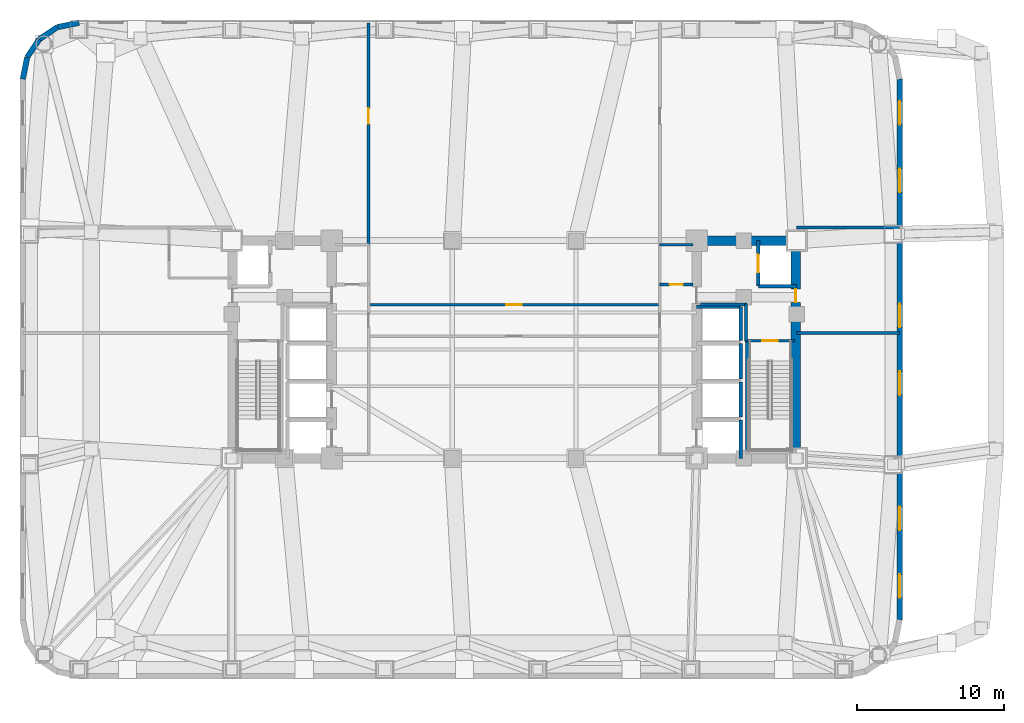
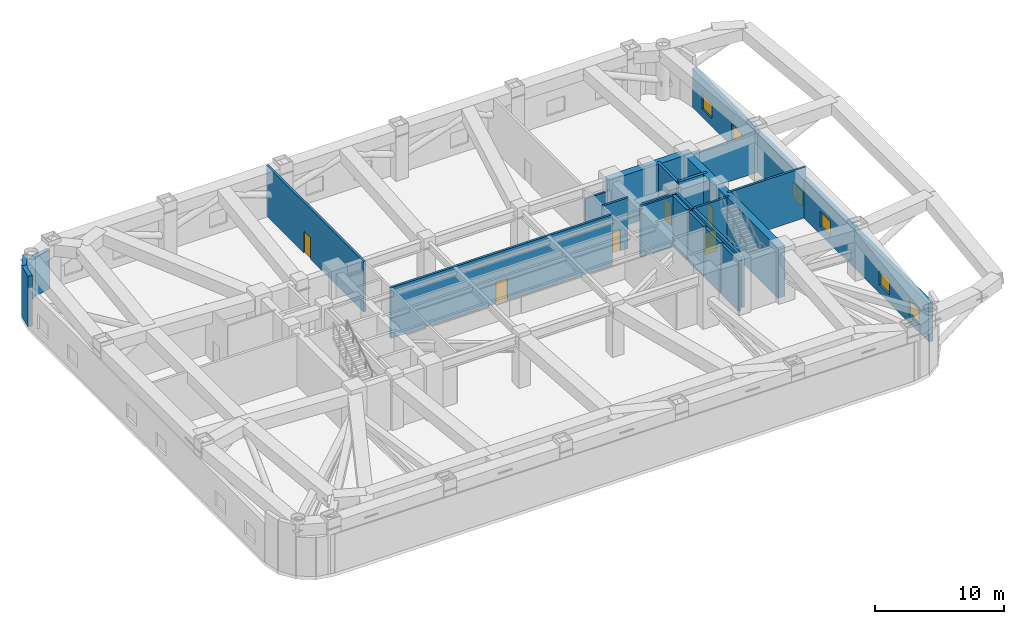
# One storey, part 6 of 9: 24 walls, 6 doors, 6 windows, 12 openings.
"""IFC4 building model written with IfcOpenShell, lengths in metres."""

from ifc_helpers import new_model, si_unit, direction, frame, frame_2d, origin, place, context, subcontext, project, spatial, rectangle, extrude, material, layer, layer_set, type_object, element, fill, save


model = new_model("IFC4")

# Units and contexts
model_context = context("Model", 3, precision=1e-05, world=origin(), true_north=direction((0.0, 1.0)))
body_context = subcontext(model_context, "Body", "Model", "MODEL_VIEW")
ifc_project = project(units=[si_unit("LENGTHUNIT", "METRE"), si_unit("AREAUNIT", "SQUARE_METRE"), si_unit("VOLUMEUNIT", "CUBIC_METRE"), si_unit("PLANEANGLEUNIT", "RADIAN"), si_unit("MASSUNIT", "GRAM", prefix="KILO")], contexts=[model_context])

# Site, building, storey
site_placement = place(None, origin())
site = spatial("IfcSite", under=ifc_project, at=site_placement, CompositionType="ELEMENT")
building_placement = place(site_placement, origin())
building = spatial("IfcBuilding", under=site, at=building_placement, Name="Voryun Gate Residences", CompositionType="ELEMENT")
storey_placement = place(building_placement, frame((0.0, 0.0, 80.60009765625)))
storey = spatial("IfcBuildingStorey", under=building, at=storey_placement, Name="L19", CompositionType="ELEMENT", Elevation=80.60009765625)

# Wall
ifc_material_1 = material(Name="Concrete C60/75", Category="concrete")
ifc_layer_1 = layer(ifc_material_1, 0.64990234375, Name="CW_CORE_650")
ifc_layer_set_1 = layer_set([ifc_layer_1], Name="Concrete C60/75")
wall_type_1 = type_object("IfcWallType", Name="CW_CORE_650", PredefinedType="SHEAR", material=ifc_layer_set_1)
wall_1_placement = place(storey_placement, frame((12.074951171875, 7.39990234375, 0.0), z_axis=(0.0, 0.0, 1.0), x_axis=(1.0, 0.0, 0.0)))
element("IfcWall", 1, at=wall_1_placement, inside=storey, type_object=wall_type_1, Name="L19 Core shear wall CW-L19-EN", PredefinedType="SHEAR", context=body_context, shape_type="SweptSolid", body=[
    extrude(rectangle(XDim=7.449951171875, YDim=0.64990234375, at=frame_2d((3.72509765625, 0.0))), origin(), (0.0, 0.0, 1.0), 4.7998046875),
])

# Wall, opening, door
wall_2_placement = place(storey_placement, frame((19.14501953125, -7.39990234375, 0.0), z_axis=(0.0, 0.0, 1.0), x_axis=(0.0, 1.0, 0.0)))
wall_2 = element("IfcWall", 2, at=wall_2_placement, inside=storey, type_object=wall_type_1, Name="L19 Core shear wall CW-L19-EE", PredefinedType="SHEAR", context=body_context, shape_type="SweptSolid", body=[
    extrude(rectangle(XDim=14.7998046875, YDim=0.64990234375, at=frame_2d((7.39990234375, 0.0))), origin(), (0.0, 0.0, 1.0), 4.7998046875),
])
opening_1_placement = place(wall_2_placement, frame((10.60009765625, 0.0, 0.0)))
opening_1 = element("IfcOpeningElement", 3, at=opening_1_placement, cuts=wall_2, Name="Opening D-FD60-4", PredefinedType="OPENING", context=body_context, shape_type="SweptSolid", body=[
    extrude(rectangle(XDim=0.89990234375, YDim=2.050048828125, at=frame_2d((0.449951171875, 1.02490234375))), frame((0.0, 0.3349609375, 0.0), z_axis=(0.0, -1.0, 0.0), x_axis=(1.0, 0.0, 0.0)), (0.0, 0.0, 1.0), 0.669921875),
])
ifc_material_2 = material(Name="Painted steel fire door", Category="steel")
door_type_1 = type_object("IfcDoorType", Name="DR_FD60_RISER_900", OperationType="NOTDEFINED", PredefinedType="DOOR", material=ifc_material_2)
door_1_placement = place(opening_1_placement, origin())
door_1 = element("IfcDoor", 4, at=door_1_placement, inside=storey, type_object=door_type_1, Name="Door DR-L19-STREF-E", OperationType="SINGLE_SWING_LEFT", OverallHeight=2.050048828125, OverallWidth=0.89990234375, PredefinedType="DOOR", context=body_context, shape_type="SweptSolid", body=[
    extrude(rectangle(XDim=0.89990234375, YDim=2.050048828125, at=frame_2d((0.449951171875, 1.02490234375))), frame((0.0, 0.02490234375, 0.0), z_axis=(0.0, -1.0, 0.0), x_axis=(1.0, 0.0, 0.0)), (0.0, 0.0, 1.0), 0.050048828125),
])
fill(opening_1, door_1)

ifc_material_3 = material(Name="Gypsum acoustic fireboard")
ifc_layer_2 = layer(ifc_material_3, 0.179931640625, Name="W_CORR_RATED_180")
ifc_layer_set_2 = layer_set([ifc_layer_2], Name="Gypsum acoustic fireboard")
wall_type_2 = type_object("IfcWallType", Name="W_CORR_RATED_180", PredefinedType="PARTITIONING", material=ifc_layer_set_2)
wall_3_placement = place(storey_placement, frame((15.699951171875, 0.60009765625, 0.0), z_axis=(0.0, 0.0, 1.0), x_axis=(1.0, 0.0, 0.0)))
wall_3 = element("IfcWall", 5, at=wall_3_placement, inside=storey, type_object=wall_type_2, Name="Partition wall WP-L19-STV-E", PredefinedType="PARTITIONING", context=body_context, shape_type="SweptSolid", body=[
    extrude(rectangle(XDim=3.360107421875, YDim=0.179931640625, at=frame_2d((1.68017578125, 0.0))), origin(), (0.0, 0.0, 1.0), 4.7998046875),
])
opening_2_placement = place(wall_3_placement, frame((1.155029296875, 0.0, 0.0)))
opening_2 = element("IfcOpeningElement", 6, at=opening_2_placement, cuts=wall_3, Name="Opening D-FD60-1", PredefinedType="OPENING", context=body_context, shape_type="SweptSolid", body=[
    extrude(rectangle(XDim=1.050048828125, YDim=2.050048828125, at=frame_2d((0.52490234375, 1.02490234375))), frame((0.0, 0.099853515625, 0.0), z_axis=(0.0, -1.0, 0.0), x_axis=(1.0, 0.0, 0.0)), (0.0, 0.0, 1.0), 0.199951171875),
])
ifc_material_4 = material(Name="Painted steel fire door", Category="steel")
door_type_2 = type_object("IfcDoorType", Name="DR_FD60_STAIR_1050", OperationType="NOTDEFINED", PredefinedType="DOOR", material=ifc_material_4)
door_2_placement = place(opening_2_placement, origin())
door_2 = element("IfcDoor", 7, at=door_2_placement, inside=storey, type_object=door_type_2, Name="Door DR-L19-ST-E", OperationType="SINGLE_SWING_RIGHT", OverallHeight=2.050048828125, OverallWidth=1.050048828125, PredefinedType="DOOR", context=body_context, shape_type="SweptSolid", body=[
    extrude(rectangle(XDim=1.050048828125, YDim=2.050048828125, at=frame_2d((0.52490234375, 1.02490234375))), frame((0.0, 0.02490234375, 0.0), z_axis=(0.0, -1.0, 0.0), x_axis=(1.0, 0.0, 0.0)), (0.0, 0.0, 1.0), 0.050048828125),
])
fill(opening_2, door_2)

# Walls
wall_4_placement = place(storey_placement, frame((9.8798828125, 7.1201171875, 0.0), z_axis=(0.0, 0.0, 1.0), x_axis=(1.0, 0.0, 0.0)))
element("IfcWall", 8, at=wall_4_placement, inside=storey, type_object=wall_type_2, Name="Partition wall WP-L19-PLBN-E", PredefinedType="PARTITIONING", context=body_context, shape_type="SweptSolid", body=[
    extrude(rectangle(XDim=2.27001953125, YDim=0.179931640625, at=frame_2d((1.135009765625, 0.0))), origin(), (0.0, 0.0, 1.0), 3.83984375),
])
ifc_material_5 = material(Name="Granite masonry", Category="masonry")
ifc_layer_3 = layer(ifc_material_5, 0.3798828125, Name="W_EXT_GRANITE_380")
ifc_layer_set_3 = layer_set([ifc_layer_3], Name="Granite masonry")
wall_type_3 = type_object("IfcWallType", Name="W_EXT_GRANITE_380", PredefinedType="ELEMENTEDWALL", material=ifc_layer_set_3)
wall_5_placement = place(storey_placement, frame((-33.409912109375, 18.38134765625, 0.0), z_axis=(0.0, 0.0, 1.0), x_axis=(0.195086038585, 0.980786132421, 0.0)))
element("IfcWall", 9, at=wall_5_placement, inside=storey, type_object=wall_type_3, Name="Exterior wall WEXT-L19-07", PredefinedType="ELEMENTEDWALL", context=body_context, shape_type="SweptSolid", body=[
    extrude(rectangle(XDim=1.504150390625, YDim=0.3798828125, at=frame_2d((0.751953125, 0.0))), origin(), (0.0, 0.0, 1.0), 4.7998046875),
])
wall_6_placement = place(storey_placement, frame((-33.116455078125, 19.856689453125, 0.0), z_axis=(0.0, 0.0, 1.0), x_axis=(0.555572577804, 0.831468045563, 0.0)))
element("IfcWall", 10, at=wall_6_placement, inside=storey, type_object=wall_type_3, Name="Exterior wall WEXT-L19-08", PredefinedType="ELEMENTEDWALL", context=body_context, shape_type="SweptSolid", body=[
    extrude(rectangle(XDim=1.48486328125, YDim=0.3798828125, at=frame_2d((0.742431640625, 0.0))), origin(), (0.0, 0.0, 1.0), 4.7998046875),
])
wall_7_placement = place(storey_placement, frame((-32.29150390625, 21.09130859375, 0.0), z_axis=(0.0, 0.0, 1.0), x_axis=(0.831442848281, 0.555610286119, 0.0)))
element("IfcWall", 11, at=wall_7_placement, inside=storey, type_object=wall_type_3, Name="Exterior wall WEXT-L19-09", PredefinedType="ELEMENTEDWALL", context=body_context, shape_type="SweptSolid", body=[
    extrude(rectangle(XDim=1.485107421875, YDim=0.3798828125, at=frame_2d((0.74267578125, 0.0))), origin(), (0.0, 0.0, 1.0), 3.68994140625),
])
wall_8_placement = place(storey_placement, frame((-31.056640625, 21.91650390625, 0.0), z_axis=(0.0, 0.0, 1.0), x_axis=(0.980786132421, 0.195086038585, 0.0)))
element("IfcWall", 12, at=wall_8_placement, inside=storey, type_object=wall_type_3, Name="Exterior wall WEXT-L19-10", PredefinedType="ELEMENTEDWALL", context=body_context, shape_type="SweptSolid", body=[
    extrude(rectangle(XDim=1.504150390625, YDim=0.3798828125, at=frame_2d((0.751953125, 0.0))), origin(), (0.0, 0.0, 1.0), 3.68994140625),
])

# Wall, openings, windows
wall_9_placement = place(storey_placement, frame((26.2099609375, 18.38134765625, 0.0), z_axis=(0.0, 0.0, 1.0), x_axis=(0.0, -1.0, 0.0)))
wall_9 = element("IfcWall", 13, at=wall_9_placement, inside=storey, type_object=wall_type_3, Name="Exterior wall WEXT-L19-16", PredefinedType="ELEMENTEDWALL", context=body_context, shape_type="SweptSolid", body=[
    extrude(rectangle(XDim=36.7626953125, YDim=0.3798828125, at=frame_2d((18.38134765625, 0.0))), origin(), (0.0, 0.0, 1.0), 3.68994140625),
])
opening_3_placement = place(wall_9_placement, frame((1.497802734375, 0.0, 0.75)))
opening_3 = element("IfcOpeningElement", 14, at=opening_3_placement, cuts=wall_9, Name="Opening WN8", PredefinedType="OPENING", context=body_context, shape_type="SweptSolid", body=[
    extrude(rectangle(XDim=1.60009765625, YDim=1.39990234375, at=frame_2d((0.800048828125, 0.699951171875))), frame((0.0, 0.199951171875, 0.0), z_axis=(0.0, -1.0, 0.0), x_axis=(1.0, 0.0, 0.0)), (0.0, 0.0, 1.0), 0.39990234375),
])
opening_4_placement = place(wall_9_placement, frame((6.093017578125, 0.0, 0.75)))
opening_4 = element("IfcOpeningElement", 15, at=opening_4_placement, cuts=wall_9, Name="Opening WN8", PredefinedType="OPENING", context=body_context, shape_type="SweptSolid", body=[
    extrude(rectangle(XDim=1.60009765625, YDim=1.39990234375, at=frame_2d((0.800048828125, 0.699951171875))), frame((0.0, 0.199951171875, 0.0), z_axis=(0.0, -1.0, 0.0), x_axis=(1.0, 0.0, 0.0)), (0.0, 0.0, 1.0), 0.39990234375),
])
opening_5_placement = place(wall_9_placement, frame((15.28369140625, 0.0, 0.75)))
opening_5 = element("IfcOpeningElement", 16, at=opening_5_placement, cuts=wall_9, Name="Opening WN8", PredefinedType="OPENING", context=body_context, shape_type="SweptSolid", body=[
    extrude(rectangle(XDim=1.60009765625, YDim=1.39990234375, at=frame_2d((0.800048828125, 0.699951171875))), frame((0.0, 0.199951171875, 0.0), z_axis=(0.0, -1.0, 0.0), x_axis=(1.0, 0.0, 0.0)), (0.0, 0.0, 1.0), 0.39990234375),
])
opening_6_placement = place(wall_9_placement, frame((19.87890625, 0.0, 0.75)))
opening_6 = element("IfcOpeningElement", 17, at=opening_6_placement, cuts=wall_9, Name="Opening WN8", PredefinedType="OPENING", context=body_context, shape_type="SweptSolid", body=[
    extrude(rectangle(XDim=1.60009765625, YDim=1.39990234375, at=frame_2d((0.800048828125, 0.699951171875))), frame((0.0, 0.199951171875, 0.0), z_axis=(0.0, -1.0, 0.0), x_axis=(1.0, 0.0, 0.0)), (0.0, 0.0, 1.0), 0.39990234375),
])
opening_7_placement = place(wall_9_placement, frame((29.069580078125, 0.0, 0.75)))
opening_7 = element("IfcOpeningElement", 18, at=opening_7_placement, cuts=wall_9, Name="Opening WN8", PredefinedType="OPENING", context=body_context, shape_type="SweptSolid", body=[
    extrude(rectangle(XDim=1.60009765625, YDim=1.39990234375, at=frame_2d((0.800048828125, 0.699951171875))), frame((0.0, 0.199951171875, 0.0), z_axis=(0.0, -1.0, 0.0), x_axis=(1.0, 0.0, 0.0)), (0.0, 0.0, 1.0), 0.39990234375),
])
opening_8_placement = place(wall_9_placement, frame((33.664794921875, 0.0, 0.75)))
opening_8 = element("IfcOpeningElement", 19, at=opening_8_placement, cuts=wall_9, Name="Opening WN8", PredefinedType="OPENING", context=body_context, shape_type="SweptSolid", body=[
    extrude(rectangle(XDim=1.60009765625, YDim=1.39990234375, at=frame_2d((0.800048828125, 0.699951171875))), frame((0.0, 0.199951171875, 0.0), z_axis=(0.0, -1.0, 0.0), x_axis=(1.0, 0.0, 0.0)), (0.0, 0.0, 1.0), 0.39990234375),
])
ifc_material_6 = material(Name="Anodised aluminium", Category="aluminium")
window_type = type_object("IfcWindowType", Name="WN_REFUGE_LOUVRE_1600", PartitioningType="SINGLE_PANEL", PredefinedType="WINDOW", material=ifc_material_6)
window_1_placement = place(opening_3_placement, origin())
window_1 = element("IfcWindow", 20, at=window_1_placement, inside=storey, type_object=window_type, Name="Window WN-L19-LV-16-01", OverallHeight=1.39990234375, OverallWidth=1.60009765625, PartitioningType="SINGLE_PANEL", PredefinedType="WINDOW", context=body_context, shape_type="SweptSolid", body=[
    extrude(rectangle(XDim=1.60009765625, YDim=1.39990234375, at=frame_2d((0.800048828125, 0.699951171875))), frame((0.0, 0.030029296875, 0.0), z_axis=(0.0, -1.0, 0.0), x_axis=(1.0, 0.0, 0.0)), (0.0, 0.0, 1.0), 0.06005859375),
])
fill(opening_3, window_1)
window_2_placement = place(opening_4_placement, origin())
window_2 = element("IfcWindow", 21, at=window_2_placement, inside=storey, type_object=window_type, Name="Window WN-L19-LV-16-02", OverallHeight=1.39990234375, OverallWidth=1.60009765625, PartitioningType="SINGLE_PANEL", PredefinedType="WINDOW", context=body_context, shape_type="SweptSolid", body=[
    extrude(rectangle(XDim=1.60009765625, YDim=1.39990234375, at=frame_2d((0.800048828125, 0.699951171875))), frame((0.0, 0.030029296875, 0.0), z_axis=(0.0, -1.0, 0.0), x_axis=(1.0, 0.0, 0.0)), (0.0, 0.0, 1.0), 0.06005859375),
])
fill(opening_4, window_2)
window_3_placement = place(opening_5_placement, origin())
window_3 = element("IfcWindow", 22, at=window_3_placement, inside=storey, type_object=window_type, Name="Window WN-L19-LV-16-04", OverallHeight=1.39990234375, OverallWidth=1.60009765625, PartitioningType="SINGLE_PANEL", PredefinedType="WINDOW", context=body_context, shape_type="SweptSolid", body=[
    extrude(rectangle(XDim=1.60009765625, YDim=1.39990234375, at=frame_2d((0.800048828125, 0.699951171875))), frame((0.0, 0.030029296875, 0.0), z_axis=(0.0, -1.0, 0.0), x_axis=(1.0, 0.0, 0.0)), (0.0, 0.0, 1.0), 0.06005859375),
])
fill(opening_5, window_3)
window_4_placement = place(opening_6_placement, origin())
window_4 = element("IfcWindow", 23, at=window_4_placement, inside=storey, type_object=window_type, Name="Window WN-L19-LV-16-05", OverallHeight=1.39990234375, OverallWidth=1.60009765625, PartitioningType="SINGLE_PANEL", PredefinedType="WINDOW", context=body_context, shape_type="SweptSolid", body=[
    extrude(rectangle(XDim=1.60009765625, YDim=1.39990234375, at=frame_2d((0.800048828125, 0.699951171875))), frame((0.0, 0.030029296875, 0.0), z_axis=(0.0, -1.0, 0.0), x_axis=(1.0, 0.0, 0.0)), (0.0, 0.0, 1.0), 0.06005859375),
])
fill(opening_6, window_4)
window_5_placement = place(opening_7_placement, origin())
window_5 = element("IfcWindow", 24, at=window_5_placement, inside=storey, type_object=window_type, Name="Window WN-L19-LV-16-07", OverallHeight=1.39990234375, OverallWidth=1.60009765625, PartitioningType="SINGLE_PANEL", PredefinedType="WINDOW", context=body_context, shape_type="SweptSolid", body=[
    extrude(rectangle(XDim=1.60009765625, YDim=1.39990234375, at=frame_2d((0.800048828125, 0.699951171875))), frame((0.0, 0.030029296875, 0.0), z_axis=(0.0, -1.0, 0.0), x_axis=(1.0, 0.0, 0.0)), (0.0, 0.0, 1.0), 0.06005859375),
])
fill(opening_7, window_5)
window_6_placement = place(opening_8_placement, origin())
window_6 = element("IfcWindow", 25, at=window_6_placement, inside=storey, type_object=window_type, Name="Window WN-L19-LV-16-08", OverallHeight=1.39990234375, OverallWidth=1.60009765625, PartitioningType="SINGLE_PANEL", PredefinedType="WINDOW", context=body_context, shape_type="SweptSolid", body=[
    extrude(rectangle(XDim=1.60009765625, YDim=1.39990234375, at=frame_2d((0.800048828125, 0.699951171875))), frame((0.0, 0.030029296875, 0.0), z_axis=(0.0, -1.0, 0.0), x_axis=(1.0, 0.0, 0.0)), (0.0, 0.0, 1.0), 0.06005859375),
])
fill(opening_8, window_6)

# Walls
ifc_material_7 = material(Name="Concrete C40/50", Category="concrete")
ifc_layer_4 = layer(ifc_material_7, 0.199951171875, Name="W_FF_LOBBY_200")
ifc_layer_set_4 = layer_set([ifc_layer_4], Name="Concrete C40/50")
wall_type_4 = type_object("IfcWallType", Name="W_FF_LOBBY_200", PredefinedType="PARTITIONING", material=ifc_layer_set_4)
wall_10_placement = place(storey_placement, frame((15.760009765625, 0.580078125, 0.0), z_axis=(0.0, 0.0, 1.0), x_axis=(0.0, 1.0, 0.0)))
element("IfcWall", 26, at=wall_10_placement, inside=storey, type_object=wall_type_4, Name="Partition wall WP-L19-FFP0-E", PredefinedType="PARTITIONING", context=body_context, shape_type="SweptSolid", body=[
    extrude(rectangle(XDim=2.52001953125, YDim=0.199951171875, at=frame_2d((1.260009765625, 0.0))), origin(), (0.0, 0.0, 1.0), 4.7998046875),
])
wall_11_placement = place(storey_placement, frame((12.659912109375, 3.06005859375, 0.0), z_axis=(0.0, 0.0, 1.0), x_axis=(1.0, 0.0, 0.0)))
element("IfcWall", 27, at=wall_11_placement, inside=storey, type_object=wall_type_4, Name="Partition wall WP-L19-FFPS-E", PredefinedType="PARTITIONING", context=body_context, shape_type="SweptSolid", body=[
    extrude(rectangle(XDim=3.16015625, YDim=0.199951171875, at=frame_2d((1.580078125, 0.0))), origin(), (0.0, 0.0, 1.0), 4.7998046875),
])

# Wall, opening, door
wall_12_placement = place(storey_placement, frame((9.8798828125, 4.409912109375, 0.0), z_axis=(0.0, 0.0, 1.0), x_axis=(1.0, 0.0, 0.0)))
wall_12 = element("IfcWall", 28, at=wall_12_placement, inside=storey, type_object=wall_type_4, Name="Partition wall WP-L19-CSFLKS-E", PredefinedType="PARTITIONING", context=body_context, shape_type="SweptSolid", body=[
    extrude(rectangle(XDim=2.27001953125, YDim=0.199951171875, at=frame_2d((1.135009765625, 0.0))), origin(), (0.0, 0.0, 1.0), 4.7998046875),
])
opening_9_placement = place(wall_12_placement, frame((0.68505859375, 0.0, 0.0)))
opening_9 = element("IfcOpeningElement", 29, at=opening_9_placement, cuts=wall_12, Name="Opening D-FD60-4", PredefinedType="OPENING", context=body_context, shape_type="SweptSolid", body=[
    extrude(rectangle(XDim=0.89990234375, YDim=2.050048828125, at=frame_2d((0.449951171875, 1.02490234375))), frame((0.0, 0.110107421875, 0.0), z_axis=(0.0, -1.0, 0.0), x_axis=(1.0, 0.0, 0.0)), (0.0, 0.0, 1.0), 0.219970703125),
])
door_3_placement = place(opening_9_placement, origin())
door_3 = element("IfcDoor", 30, at=door_3_placement, inside=storey, type_object=door_type_1, Name="Door DR-L19-CSFLK-E", OperationType="SINGLE_SWING_RIGHT", OverallHeight=2.050048828125, OverallWidth=0.89990234375, PredefinedType="DOOR", context=body_context, shape_type="SweptSolid", body=[
    extrude(rectangle(XDim=0.89990234375, YDim=2.050048828125, at=frame_2d((0.449951171875, 1.02490234375))), frame((0.0, 0.02490234375, 0.0), z_axis=(0.0, -1.0, 0.0), x_axis=(1.0, 0.0, 0.0)), (0.0, 0.0, 1.0), 0.050048828125),
])
fill(opening_9, door_3)

wall_13_placement = place(storey_placement, frame((-9.949951171875, 3.0400390625, 0.0), z_axis=(0.0, 0.0, 1.0), x_axis=(1.0, 0.0, 0.0)))
wall_13 = element("IfcWall", 31, at=wall_13_placement, inside=storey, type_object=wall_type_4, Name="Partition wall WP-L19-RN", PredefinedType="PARTITIONING", context=body_context, shape_type="SweptSolid", body=[
    extrude(rectangle(XDim=19.89990234375, YDim=0.199951171875, at=frame_2d((9.949951171875, 0.0))), origin(), (0.0, 0.0, 1.0), 4.7998046875),
])
opening_10_placement = place(wall_13_placement, frame((9.425048828125, 0.0, 0.0)))
opening_10 = element("IfcOpeningElement", 32, at=opening_10_placement, cuts=wall_13, Name="Opening D-FD60-1", PredefinedType="OPENING", context=body_context, shape_type="SweptSolid", body=[
    extrude(rectangle(XDim=1.050048828125, YDim=2.050048828125, at=frame_2d((0.52490234375, 1.02490234375))), frame((0.0, 0.110107421875, 0.0), z_axis=(0.0, -1.0, 0.0), x_axis=(1.0, 0.0, 0.0)), (0.0, 0.0, 1.0), 0.219970703125),
])
door_4_placement = place(opening_10_placement, origin())
door_4 = element("IfcDoor", 33, at=door_4_placement, inside=storey, type_object=door_type_2, Name="Door DR-L19-PL1", OperationType="SINGLE_SWING_LEFT", OverallHeight=2.050048828125, OverallWidth=1.050048828125, PredefinedType="DOOR", context=body_context, shape_type="SweptSolid", body=[
    extrude(rectangle(XDim=1.050048828125, YDim=2.050048828125, at=frame_2d((0.52490234375, 1.02490234375))), frame((0.0, 0.02490234375, 0.0), z_axis=(0.0, -1.0, 0.0), x_axis=(1.0, 0.0, 0.0)), (0.0, 0.0, 1.0), 0.050048828125),
])
fill(opening_10, door_4)

# Walls
wall_14_placement = place(storey_placement, frame((19.199951171875, 1.1201171875, 0.0), z_axis=(0.0, 0.0, 1.0), x_axis=(1.0, 0.0, 0.0)))
element("IfcWall", 34, at=wall_14_placement, inside=storey, type_object=wall_type_4, Name="Partition wall WP-L19-PES", PredefinedType="PARTITIONING", context=body_context, shape_type="SweptSolid", body=[
    extrude(rectangle(XDim=7.010009765625, YDim=0.199951171875, at=frame_2d((3.5048828125, 0.0))), origin(), (0.0, 0.0, 1.0), 4.7998046875),
])
wall_15_placement = place(storey_placement, frame((19.199951171875, 8.300048828125, 0.0), z_axis=(0.0, 0.0, 1.0), x_axis=(1.0, 0.0, 0.0)))
element("IfcWall", 35, at=wall_15_placement, inside=storey, type_object=wall_type_4, Name="Partition wall WP-L19-RFNE", PredefinedType="PARTITIONING", context=body_context, shape_type="SweptSolid", body=[
    extrude(rectangle(XDim=7.010009765625, YDim=0.199951171875, at=frame_2d((3.5048828125, 0.0))), origin(), (0.0, 0.0, 1.0), 3.68994140625),
])

# Wall, opening, door
wall_16_placement = place(storey_placement, frame((-9.89990234375, 7.10009765625, 0.0), z_axis=(0.0, 0.0, 1.0), x_axis=(0.0, 1.0, 0.0)))
wall_16 = element("IfcWall", 36, at=wall_16_placement, inside=storey, type_object=wall_type_4, Name="Partition wall WP-L19-PL1W", PredefinedType="PARTITIONING", context=body_context, shape_type="SweptSolid", body=[
    extrude(rectangle(XDim=15.10986328125, YDim=0.199951171875, at=frame_2d((7.554931640625, 0.0))), origin(), (0.0, 0.0, 1.0), 4.7998046875),
])
opening_11_placement = place(wall_16_placement, frame((8.23876953125, 0.0, 0.0)))
opening_11 = element("IfcOpeningElement", 37, at=opening_11_placement, cuts=wall_16, Name="Opening D-FD60-1", PredefinedType="OPENING", context=body_context, shape_type="SweptSolid", body=[
    extrude(rectangle(XDim=1.050048828125, YDim=2.050048828125, at=frame_2d((0.52490234375, 1.02490234375))), frame((0.0, 0.110107421875, 0.0), z_axis=(0.0, -1.0, 0.0), x_axis=(1.0, 0.0, 0.0)), (0.0, 0.0, 1.0), 0.219970703125),
])
door_5_placement = place(opening_11_placement, origin())
door_5 = element("IfcDoor", 38, at=door_5_placement, inside=storey, type_object=door_type_2, Name="Door DR-L19-PL3", OperationType="SINGLE_SWING_LEFT", OverallHeight=2.050048828125, OverallWidth=1.050048828125, PredefinedType="DOOR", context=body_context, shape_type="SweptSolid", body=[
    extrude(rectangle(XDim=1.050048828125, YDim=2.050048828125, at=frame_2d((0.52490234375, 1.02490234375))), frame((0.0, 0.02490234375, 0.0), z_axis=(0.0, -1.0, 0.0), x_axis=(1.0, 0.0, 0.0)), (0.0, 0.0, 1.0), 0.050048828125),
])
fill(opening_11, door_5)

# Walls
ifc_material_8 = material(Name="Concrete C50/60", Category="concrete")
ifc_layer_5 = layer(ifc_material_8, 0.25, Name="W_SHAFT_RC250")
ifc_layer_set_5 = layer_set([ifc_layer_5], Name="Concrete C50/60")
wall_type_5 = type_object("IfcWallType", Name="W_SHAFT_RC250", PredefinedType="SOLIDWALL", material=ifc_layer_set_5)
wall_17_placement = place(storey_placement, frame((15.860107421875, -7.0849609375, 0.0), z_axis=(0.0, 0.0, 1.0), x_axis=(0.0, 1.0, 0.0)))
element("IfcWall", 39, at=wall_17_placement, inside=storey, type_object=wall_type_5, Name="L19 Stair shaft structural wall E-STL", PredefinedType="SOLIDWALL", context=body_context, shape_type="SweptSolid", body=[
    extrude(rectangle(XDim=7.68505859375, YDim=0.25, at=frame_2d((3.842529296875, 0.0))), origin(), (0.0, 0.0, 1.0), 4.7998046875),
])
wall_18_placement = place(storey_placement, frame((16.60009765625, 4.300048828125, 0.0), z_axis=(0.0, 0.0, 1.0), x_axis=(1.0, 0.0, 0.0)))
element("IfcWall", 40, at=wall_18_placement, inside=storey, type_object=wall_type_5, Name="Lift shaft wall WSH-L19-EL-FF-E1-S", PredefinedType="SOLIDWALL", context=body_context, shape_type="SweptSolid", body=[
    extrude(rectangle(XDim=2.599853515625, YDim=0.25, at=frame_2d((1.2998046875, 0.0))), origin(), (0.0, 0.0, 1.0), 4.7998046875),
])

# Wall, opening, door
wall_19_placement = place(storey_placement, frame((16.60009765625, 7.39990234375, 0.0), z_axis=(0.0, 0.0, 1.0), x_axis=(0.0, -1.0, 0.0)))
wall_19 = element("IfcWall", 41, at=wall_19_placement, inside=storey, type_object=wall_type_5, Name="Lift shaft wall WSH-L19-EL-FF-E1-W", PredefinedType="SOLIDWALL", context=body_context, shape_type="SweptSolid", body=[
    extrude(rectangle(XDim=3.099853515625, YDim=0.25, at=frame_2d((1.5498046875, 0.0))), origin(), (0.0, 0.0, 1.0), 4.7998046875),
])
opening_12_placement = place(wall_19_placement, frame((0.949951171875, 0.0, 0.0)))
opening_12 = element("IfcOpeningElement", 42, at=opening_12_placement, cuts=wall_19, Name="Opening LD1", PredefinedType="OPENING", context=body_context, shape_type="SweptSolid", body=[
    extrude(rectangle(XDim=1.199951171875, YDim=2.050048828125, at=frame_2d((0.60009765625, 1.02490234375))), frame((0.0, 0.135009765625, 0.0), z_axis=(0.0, -1.0, 0.0), x_axis=(1.0, 0.0, 0.0)), (0.0, 0.0, 1.0), 0.27001953125),
])
ifc_material_9 = material(Name="Anodised aluminium", Category="aluminium")
door_type_3 = type_object("IfcDoorType", Name="DR_LD_FF_1200", OperationType="NOTDEFINED", PredefinedType="DOOR", material=ifc_material_9)
door_6_placement = place(opening_12_placement, origin())
door_6 = element("IfcDoor", 43, at=door_6_placement, inside=storey, type_object=door_type_3, Name="Lift EL-FF-E1 sliding landing door L19", OperationType="SLIDING_TO_LEFT", OverallHeight=2.050048828125, OverallWidth=1.199951171875, PredefinedType="DOOR", context=body_context, shape_type="SweptSolid", body=[
    extrude(rectangle(XDim=1.199951171875, YDim=2.050048828125, at=frame_2d((0.60009765625, 1.02490234375))), frame((0.0, 0.02490234375, 0.0), z_axis=(0.0, -1.0, 0.0), x_axis=(1.0, 0.0, 0.0)), (0.0, 0.0, 1.0), 0.050048828125),
])
fill(opening_12, door_6)

# Walls
wall_20_placement = place(storey_placement, frame((15.39990234375, -7.39990234375, 0.0), z_axis=(0.0, 0.0, 1.0), x_axis=(0.0, 1.0, 0.0)))
element("IfcWall", 44, at=wall_20_placement, inside=storey, type_object=wall_type_5, Name="Lift shaft wall WSH-L19-EL-P3-E", PredefinedType="SOLIDWALL", context=body_context, shape_type="SweptSolid", body=[
    extrude(rectangle(XDim=2.599853515625, YDim=0.25, at=frame_2d((1.2998046875, 0.0))), origin(), (0.0, 0.0, 1.0), 4.7998046875),
])
wall_21_placement = place(storey_placement, frame((15.39990234375, -4.60009765625, 0.0), z_axis=(0.0, 0.0, 1.0), x_axis=(0.0, 1.0, 0.0)))
element("IfcWall", 45, at=wall_21_placement, inside=storey, type_object=wall_type_5, Name="Lift shaft wall WSH-L19-EL-P5-E", PredefinedType="SOLIDWALL", context=body_context, shape_type="SweptSolid", body=[
    extrude(rectangle(XDim=2.400146484375, YDim=0.25, at=frame_2d((1.2001953125, 0.0))), origin(), (0.0, 0.0, 1.0), 4.7998046875),
])
wall_22_placement = place(storey_placement, frame((15.39990234375, -2.0, 0.0), z_axis=(0.0, 0.0, 1.0), x_axis=(0.0, 1.0, 0.0)))
element("IfcWall", 46, at=wall_22_placement, inside=storey, type_object=wall_type_5, Name="Lift shaft wall WSH-L19-EL-P6-E", PredefinedType="SOLIDWALL", context=body_context, shape_type="SweptSolid", body=[
    extrude(rectangle(XDim=2.39990234375, YDim=0.25, at=frame_2d((1.199951171875, 0.0))), origin(), (0.0, 0.0, 1.0), 4.7998046875),
])
wall_23_placement = place(storey_placement, frame((15.39990234375, 0.60009765625, 0.0), z_axis=(0.0, 0.0, 1.0), x_axis=(0.0, 1.0, 0.0)))
element("IfcWall", 47, at=wall_23_placement, inside=storey, type_object=wall_type_5, Name="Lift shaft wall WSH-L19-EL-P8-E", PredefinedType="SOLIDWALL", context=body_context, shape_type="SweptSolid", body=[
    extrude(rectangle(XDim=2.2998046875, YDim=0.25, at=frame_2d((1.14990234375, 0.0))), origin(), (0.0, 0.0, 1.0), 4.7998046875),
])
wall_24_placement = place(storey_placement, frame((15.39990234375, 2.89990234375, 0.0), z_axis=(0.0, 0.0, 1.0), x_axis=(-1.0, 0.0, 0.0)))
element("IfcWall", 48, at=wall_24_placement, inside=storey, type_object=wall_type_5, Name="Lift shaft wall WSH-L19-EL-P8-N", PredefinedType="SOLIDWALL", context=body_context, shape_type="SweptSolid", body=[
    extrude(rectangle(XDim=3.0, YDim=0.25, at=frame_2d((1.5, 0.0))), origin(), (0.0, 0.0, 1.0), 4.7998046875),
])

save(model, "model.ifc")
